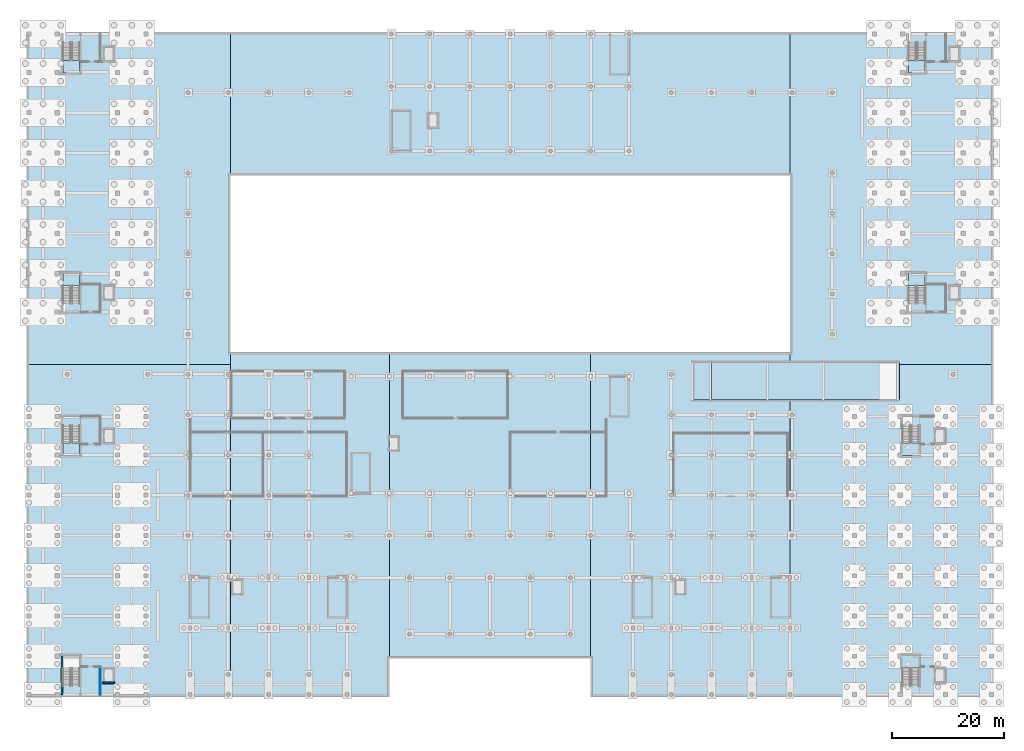
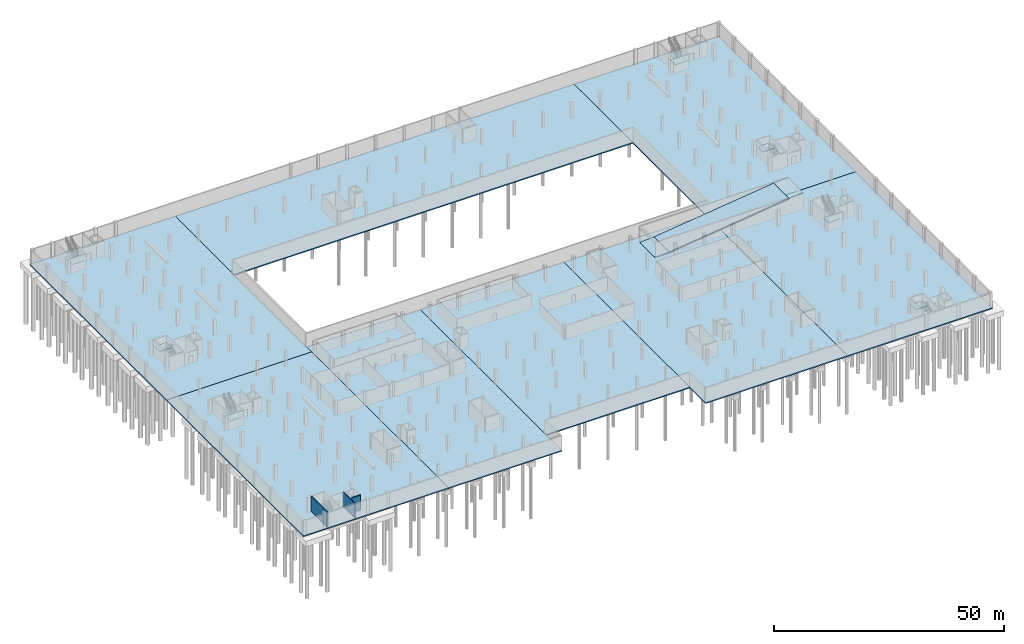
# One storey, part 16 of 36: 18 slabs, 3 walls, 7 elements without a shape of their own.
"""IFC4 building model written with IfcOpenShell, lengths in metres."""

from ifc_helpers import new_model, si_unit, derived_unit, direction, frame, frame_2d, origin, place, context, subcontext, project, spatial, polyline, rectangle, outline, extrude, material, layer, layer_set, type_object, element, aggregate, save


model = new_model("IFC4")

# Units and contexts
model_context = context("Model", 3, precision=1e-05, world=origin(), true_north=direction((0.0, 1.0)))
body_context = subcontext(model_context, "Body", "Model", "MODEL_VIEW")
ifc_project = project(units=[si_unit("LENGTHUNIT", "METRE"), si_unit("AREAUNIT", "SQUARE_METRE"), si_unit("VOLUMEUNIT", "CUBIC_METRE"), si_unit("PLANEANGLEUNIT", "RADIAN"), si_unit("MASSUNIT", "GRAM", prefix="KILO"), derived_unit("THERMALTRANSMITTANCEUNIT", [(si_unit("MASSUNIT", "GRAM", prefix="KILO"), 1), (si_unit("TIMEUNIT", "SECOND"), -3), (si_unit("THERMODYNAMICTEMPERATUREUNIT", "KELVIN"), -1)])], contexts=[model_context])

# Site, building, storey
site_placement = place(None, origin())
site = spatial("IfcSite", under=ifc_project, at=site_placement, CompositionType="ELEMENT")
building_placement = place(site_placement, origin())
building = spatial("IfcBuilding", under=site, at=building_placement, Name="Ochrekiln Boulevard Commons", CompositionType="ELEMENT")
storey_placement = place(building_placement, frame((0.0, 0.0, -4.199951171875)))
storey = spatial("IfcBuildingStorey", under=building, at=storey_placement, Name="B1", CompositionType="ELEMENT", Elevation=-4.199951171875)

# Slabs
ifc_material_1 = material(Name="Concrete C35/45", Category="concrete")
ifc_layer_1 = layer(ifc_material_1, 0.300048828125)
ifc_layer_set_1 = layer_set([ifc_layer_1], Name="Concrete C35/45")
slab_type_1 = type_object("IfcSlabType", Name="SLB-BASE-300", PredefinedType="BASESLAB", material=ifc_layer_set_1)
slab_1_placement = place(storey_placement, frame((0.0, 0.0, -0.300048828125)))
element("IfcSlab", 1, at=slab_1_placement, inside=storey, type_object=slab_type_1, Name="South-West B1 Perimeter Base Slab", PredefinedType="BASESLAB", context=body_context, shape_type="SweptSolid", body=[
    extrude(outline(polyline([(0.0, 0.0), (36.39990234375, 0.0), (36.39990234375, 59.39990234375), (0.0, 59.39990234375), (0.0, 0.0)])), origin(), (0.0, 0.0, 1.0), 0.300048828125),
])
slab_2_placement = place(storey_placement, frame((0.0, 0.0, -0.300048828125)))
element("IfcSlab", 2, at=slab_2_placement, inside=storey, type_object=slab_type_1, Name="North-West B1 Perimeter Base Slab", PredefinedType="BASESLAB", context=body_context, shape_type="SweptSolid", body=[
    extrude(outline(polyline([(0.0, 59.39990234375), (36.39990234375, 59.39990234375), (36.39990234375, 118.800048828125), (0.0, 118.800048828125), (0.0, 59.39990234375)])), origin(), (0.0, 0.0, 1.0), 0.300048828125),
])
slab_3_placement = place(storey_placement, frame((0.0, 0.0, -0.300048828125)))
element("IfcSlab", 3, at=slab_3_placement, inside=storey, type_object=slab_type_1, Name="South-East B1 Perimeter Base Slab", PredefinedType="BASESLAB", context=body_context, shape_type="SweptSolid", body=[
    extrude(outline(polyline([(136.39990234375, 0.0), (172.800048828125, 0.0), (172.800048828125, 59.39990234375), (136.39990234375, 59.39990234375), (136.39990234375, 0.0)])), origin(), (0.0, 0.0, 1.0), 0.300048828125),
])
slab_4_placement = place(storey_placement, frame((0.0, 0.0, -0.300048828125)))
element("IfcSlab", 4, at=slab_4_placement, inside=storey, type_object=slab_type_1, Name="North-East B1 Perimeter Base Slab", PredefinedType="BASESLAB", context=body_context, shape_type="SweptSolid", body=[
    extrude(outline(polyline([(136.39990234375, 59.39990234375), (172.800048828125, 59.39990234375), (172.800048828125, 118.800048828125), (136.39990234375, 118.800048828125), (136.39990234375, 59.39990234375)])), origin(), (0.0, 0.0, 1.0), 0.300048828125),
])
slab_5_placement = place(storey_placement, frame((0.0, 0.0, -0.300048828125)))
element("IfcSlab", 5, at=slab_5_placement, inside=storey, type_object=slab_type_1, Name="North-Central B1 Base Slab", PredefinedType="BASESLAB", context=body_context, shape_type="SweptSolid", body=[
    extrude(outline(polyline([(36.39990234375, 93.199951171875), (136.39990234375, 93.199951171875), (136.39990234375, 118.800048828125), (36.39990234375, 118.800048828125), (36.39990234375, 93.199951171875)])), origin(), (0.0, 0.0, 1.0), 0.300048828125),
])
slab_6_placement = place(storey_placement, frame((0.0, 0.0, -0.300048828125)))
element("IfcSlab", 6, at=slab_6_placement, inside=storey, type_object=slab_type_1, Name="South-West B1 Base Slab", PredefinedType="BASESLAB", context=body_context, shape_type="SweptSolid", body=[
    extrude(outline(polyline([(36.39990234375, 0.0), (64.800048828125, 0.0), (64.800048828125, 61.60009765625), (36.39990234375, 61.60009765625), (36.39990234375, 0.0)])), origin(), (0.0, 0.0, 1.0), 0.300048828125),
])
slab_7_placement = place(storey_placement, frame((0.0, 0.0, -0.300048828125)))
element("IfcSlab", 7, at=slab_7_placement, inside=storey, type_object=slab_type_1, Name="Central Hall B1 Base Slab", PredefinedType="BASESLAB", context=body_context, shape_type="SweptSolid", body=[
    extrude(outline(polyline([(64.800048828125, 6.800048828125), (100.800048828125, 6.800048828125), (100.800048828125, 61.60009765625), (64.800048828125, 61.60009765625), (64.800048828125, 6.800048828125)])), origin(), (0.0, 0.0, 1.0), 0.300048828125),
])
slab_8_placement = place(storey_placement, frame((0.0, 0.0, -0.300048828125)))
element("IfcSlab", 8, at=slab_8_placement, inside=storey, type_object=slab_type_1, Name="South-East B1 Base Slab", PredefinedType="BASESLAB", context=body_context, shape_type="SweptSolid", body=[
    extrude(outline(polyline([(100.800048828125, 0.0), (136.39990234375, 0.0), (136.39990234375, 61.60009765625), (100.800048828125, 61.60009765625), (100.800048828125, 0.0)]), holes=[polyline([(118.800048828125, 53.10009765625), (122.89990234375, 53.10009765625), (122.89990234375, 59.699951171875), (118.800048828125, 59.699951171875), (118.800048828125, 53.10009765625)])]), origin(), (0.0, 0.0, 1.0), 0.300048828125),
])

# Stair, slab
stair_type = type_object("IfcStairType", Name="STR-DL-420", PredefinedType="TWO_STRAIGHT_RUN_STAIR", material=ifc_material_1)
stair_1_placement = place(storey_placement, origin())
stair_1 = element("IfcStair", 9, at=stair_1_placement, inside=storey, type_object=stair_type, Name="B1 Enclosed Exit Stair ST-A1", PredefinedType="TWO_STRAIGHT_RUN_STAIR")
ifc_layer_2 = layer(ifc_material_1, 0.199951171875)
ifc_layer_set_2 = layer_set([ifc_layer_2], Name="Concrete C35/45")
slab_type_2 = type_object("IfcSlabType", Name="SLB-LND-200", PredefinedType="LANDING", material=ifc_layer_set_2)
slab_9_placement = place(storey_placement, frame((0.0, 0.0, 1.89990234375)))
slab_9 = element("IfcSlab", 10, at=slab_9_placement, type_object=slab_type_2, Name="ST-A1 landing 1", PredefinedType="LANDING", context=body_context, shape_type="SweptSolid", body=[
    extrude(outline(polyline([(9.39990234375, 73.4599609375), (9.39990234375, 75.719970703125), (6.39990234375, 75.719970703125), (6.39990234375, 73.4599609375), (9.39990234375, 73.4599609375)])), origin(), (0.0, 0.0, 1.0), 0.199951171875),
])
aggregate(stair_1, [slab_9])

stair_2_placement = place(storey_placement, origin())
stair_2 = element("IfcStair", 11, at=stair_2_placement, inside=storey, type_object=stair_type, Name="B1 Enclosed Exit Stair ST-A2", PredefinedType="TWO_STRAIGHT_RUN_STAIR")
slab_10_placement = place(storey_placement, frame((0.0, 0.0, 1.89990234375)))
slab_10 = element("IfcSlab", 12, at=slab_10_placement, type_object=slab_type_2, Name="ST-A2 landing 1", PredefinedType="LANDING", context=body_context, shape_type="SweptSolid", body=[
    extrude(outline(polyline([(6.39990234375, 113.739990234375), (6.39990234375, 111.47998046875), (9.39990234375, 111.47998046875), (9.39990234375, 113.739990234375), (6.39990234375, 113.739990234375)])), origin(), (0.0, 0.0, 1.0), 0.199951171875),
])
aggregate(stair_2, [slab_10])

stair_3_placement = place(storey_placement, origin())
stair_3 = element("IfcStair", 13, at=stair_3_placement, inside=storey, type_object=stair_type, Name="B1 Enclosed Exit Stair ST-B1", PredefinedType="TWO_STRAIGHT_RUN_STAIR")
slab_11_placement = place(storey_placement, frame((0.0, 0.0, 1.89990234375)))
slab_11 = element("IfcSlab", 14, at=slab_11_placement, type_object=slab_type_2, Name="ST-B1 landing 1", PredefinedType="LANDING", context=body_context, shape_type="SweptSolid", body=[
    extrude(outline(polyline([(160.60009765625, 73.4599609375), (160.60009765625, 75.719970703125), (157.60009765625, 75.719970703125), (157.60009765625, 73.4599609375), (160.60009765625, 73.4599609375)])), origin(), (0.0, 0.0, 1.0), 0.199951171875),
])
aggregate(stair_3, [slab_11])

stair_4_placement = place(storey_placement, origin())
stair_4 = element("IfcStair", 15, at=stair_4_placement, inside=storey, type_object=stair_type, Name="B1 Enclosed Exit Stair ST-B2", PredefinedType="TWO_STRAIGHT_RUN_STAIR")
slab_12_placement = place(storey_placement, frame((0.0, 0.0, 1.89990234375)))
slab_12 = element("IfcSlab", 16, at=slab_12_placement, type_object=slab_type_2, Name="ST-B2 landing 1", PredefinedType="LANDING", context=body_context, shape_type="SweptSolid", body=[
    extrude(outline(polyline([(157.60009765625, 113.739990234375), (157.60009765625, 111.47998046875), (160.60009765625, 111.47998046875), (160.60009765625, 113.739990234375), (157.60009765625, 113.739990234375)])), origin(), (0.0, 0.0, 1.0), 0.199951171875),
])
aggregate(stair_4, [slab_12])

stair_5_placement = place(storey_placement, origin())
stair_5 = element("IfcStair", 17, at=stair_5_placement, inside=storey, type_object=stair_type, Name="B1 Enclosed Exit Stair ST-C1", PredefinedType="TWO_STRAIGHT_RUN_STAIR")
slab_13_placement = place(storey_placement, frame((0.0, 0.0, 1.89990234375)))
slab_13 = element("IfcSlab", 18, at=slab_13_placement, type_object=slab_type_2, Name="ST-C1 landing 1", PredefinedType="LANDING", context=body_context, shape_type="SweptSolid", body=[
    extrude(outline(polyline([(159.5, 5.06005859375), (159.5, 7.320068359375), (156.5, 7.320068359375), (156.5, 5.06005859375), (159.5, 5.06005859375)])), origin(), (0.0, 0.0, 1.0), 0.199951171875),
])
aggregate(stair_5, [slab_13])

stair_6_placement = place(storey_placement, origin())
stair_6 = element("IfcStair", 19, at=stair_6_placement, inside=storey, type_object=stair_type, Name="B1 Enclosed Exit Stair ST-C2", PredefinedType="TWO_STRAIGHT_RUN_STAIR")
slab_14_placement = place(storey_placement, frame((0.0, 0.0, 1.89990234375)))
slab_14 = element("IfcSlab", 20, at=slab_14_placement, type_object=slab_type_2, Name="ST-C2 landing 1", PredefinedType="LANDING", context=body_context, shape_type="SweptSolid", body=[
    extrude(outline(polyline([(156.5, 45.340087890625), (156.5, 43.080078125), (159.5, 43.080078125), (159.5, 45.340087890625), (156.5, 45.340087890625)])), origin(), (0.0, 0.0, 1.0), 0.199951171875),
])
aggregate(stair_6, [slab_14])

stair_7_placement = place(storey_placement, origin())
stair_7 = element("IfcStair", 21, at=stair_7_placement, inside=storey, type_object=stair_type, Name="B1 Enclosed Exit Stair ST-D2", PredefinedType="TWO_STRAIGHT_RUN_STAIR")
slab_15_placement = place(storey_placement, frame((0.0, 0.0, 1.89990234375)))
slab_15 = element("IfcSlab", 22, at=slab_15_placement, type_object=slab_type_2, Name="ST-D2 landing 1", PredefinedType="LANDING", context=body_context, shape_type="SweptSolid", body=[
    extrude(outline(polyline([(6.39990234375, 45.340087890625), (6.39990234375, 43.080078125), (9.39990234375, 43.080078125), (9.39990234375, 45.340087890625), (6.39990234375, 45.340087890625)])), origin(), (0.0, 0.0, 1.0), 0.199951171875),
])
aggregate(stair_7, [slab_15])

# Slabs
ifc_layer_3 = layer(ifc_material_1, 0.280029296875)
ifc_layer_set_3 = layer_set([ifc_layer_3], Name="Concrete C35/45")
slab_type_3 = type_object("IfcSlabType", Name="SLB-VRAMP-280", PredefinedType="ROOF", material=ifc_layer_set_3)
slab_16_placement = place(storey_placement, frame((118.800048828125, 59.699951171875, 0.0), z_axis=(0.0, -1.0, 0.0), x_axis=(1.0, 0.0, 0.0)))
element("IfcSlab", 23, at=slab_16_placement, inside=storey, type_object=slab_type_3, Name="Vehicular Car Park Ramp VR-1 Structural Slab F1", PredefinedType="ROOF", context=body_context, shape_type="SweptSolid", body=[
    extrude(outline(polyline([(0.0, 0.0), (3.6005859375, 0.22509765625), (3.6005859375, -0.0556640625), (0.0, -0.280517578125), (0.0, 0.0)])), origin(), (0.0, 0.0, 1.0), 6.60009765625),
])
slab_17_placement = place(storey_placement, frame((122.39990234375, 59.699951171875, 0.224853515625), z_axis=(0.0, -1.0, 0.0), x_axis=(1.0, 0.0, 0.0)))
element("IfcSlab", 24, at=slab_17_placement, inside=storey, type_object=slab_type_3, Name="Vehicular Car Park Ramp VR-1 Structural Slab F2", PredefinedType="ROOF", context=body_context, shape_type="SweptSolid", body=[
    extrude(outline(polyline([(0.0, 0.0), (30.00048828125, 3.75), (30.00048828125, 3.4677734375), (0.0, -0.2822265625), (0.0, 0.0)])), origin(), (0.0, 0.0, 1.0), 6.60009765625),
])
slab_18_placement = place(storey_placement, frame((152.39990234375, 59.699951171875, 3.974853515625), z_axis=(0.0, -1.0, 0.0), x_axis=(1.0, 0.0, 0.0)))
element("IfcSlab", 25, at=slab_18_placement, inside=storey, type_object=slab_type_3, Name="Vehicular Car Park Ramp VR-1 Structural Slab F3", PredefinedType="ROOF", context=body_context, shape_type="SweptSolid", body=[
    extrude(outline(polyline([(0.0, 0.0), (3.60009765625, 0.22509765625), (3.60009765625, -0.0556640625), (0.0, -0.280517578125), (0.0, 0.0)])), origin(), (0.0, 0.0, 1.0), 6.60009765625),
])

# Walls
ifc_material_2 = material(Name="Fire-rated Type X gypsum board on steel studs", Category="steel")
ifc_layer_4 = layer(ifc_material_2, 0.169921875)
ifc_layer_set_4 = layer_set([ifc_layer_4], Name="Fire-rated Type X gypsum board on steel studs")
wall_type_1 = type_object("IfcWallType", Name="WL-PT-CIV-170", PredefinedType="PARTITIONING", material=ifc_layer_set_4)
wall_1_placement = place(storey_placement, frame((13.10009765625, 0.320068359375, 0.0), z_axis=(0.0, 0.0, 1.0), x_axis=(0.0, 1.0, 0.0)))
element("IfcWall", 26, at=wall_1_placement, inside=storey, type_object=wall_type_1, Name="B1 Interior Wall W-PV170", PredefinedType="PARTITIONING", context=body_context, shape_type="SweptSolid", body=[
    extrude(rectangle(XDim=5.0, YDim=0.169921875, at=frame_2d((2.5, 0.0))), origin(), (0.0, 0.0, 1.0), 3.83984375),
])
ifc_material_3 = material(Name="Concrete C40/50", Category="concrete")
ifc_layer_5 = layer(ifc_material_3, 0.27490234375)
ifc_layer_set_5 = layer_set([ifc_layer_5], Name="Concrete C40/50")
wall_type_2 = type_object("IfcWallType", Name="WL-SH-275", PredefinedType="SHEAR", material=ifc_layer_set_5)
wall_2_placement = place(storey_placement, frame((13.52490234375, 2.46240234375, 0.0), z_axis=(0.0, 0.0, 1.0), x_axis=(1.0, 0.0, 0.0)))
element("IfcWall", 27, at=wall_2_placement, inside=storey, type_object=wall_type_2, Name="Elevator LP-D1 B1 Hoistway Shear Wall", PredefinedType="SHEAR", context=body_context, shape_type="SweptSolid", body=[
    extrude(rectangle(XDim=2.150146484375, YDim=0.27490234375, at=frame_2d((1.0751953125, 0.0))), origin(), (0.0, 0.0, 1.0), 3.919921875),
])
ifc_layer_6 = layer(ifc_material_3, 0.300048828125)
ifc_layer_set_6 = layer_set([ifc_layer_6], Name="Concrete C40/50")
wall_type_3 = type_object("IfcWallType", Name="WL-SH-300", PredefinedType="SHEAR", material=ifc_layer_set_6)
wall_3_placement = place(storey_placement, frame((6.25, 0.320068359375, 0.0), z_axis=(0.0, 0.0, 1.0), x_axis=(0.0, 1.0, 0.0)))
element("IfcWall", 28, at=wall_3_placement, inside=storey, type_object=wall_type_3, Name="Stair ST-D1 B1 Core Shear Wall W", PredefinedType="SHEAR", context=body_context, shape_type="SweptSolid", body=[
    extrude(rectangle(XDim=7.0, YDim=0.300048828125, at=frame_2d((3.5, 0.0))), origin(), (0.0, 0.0, 1.0), 3.919921875),
])

save(model, "model.ifc")
